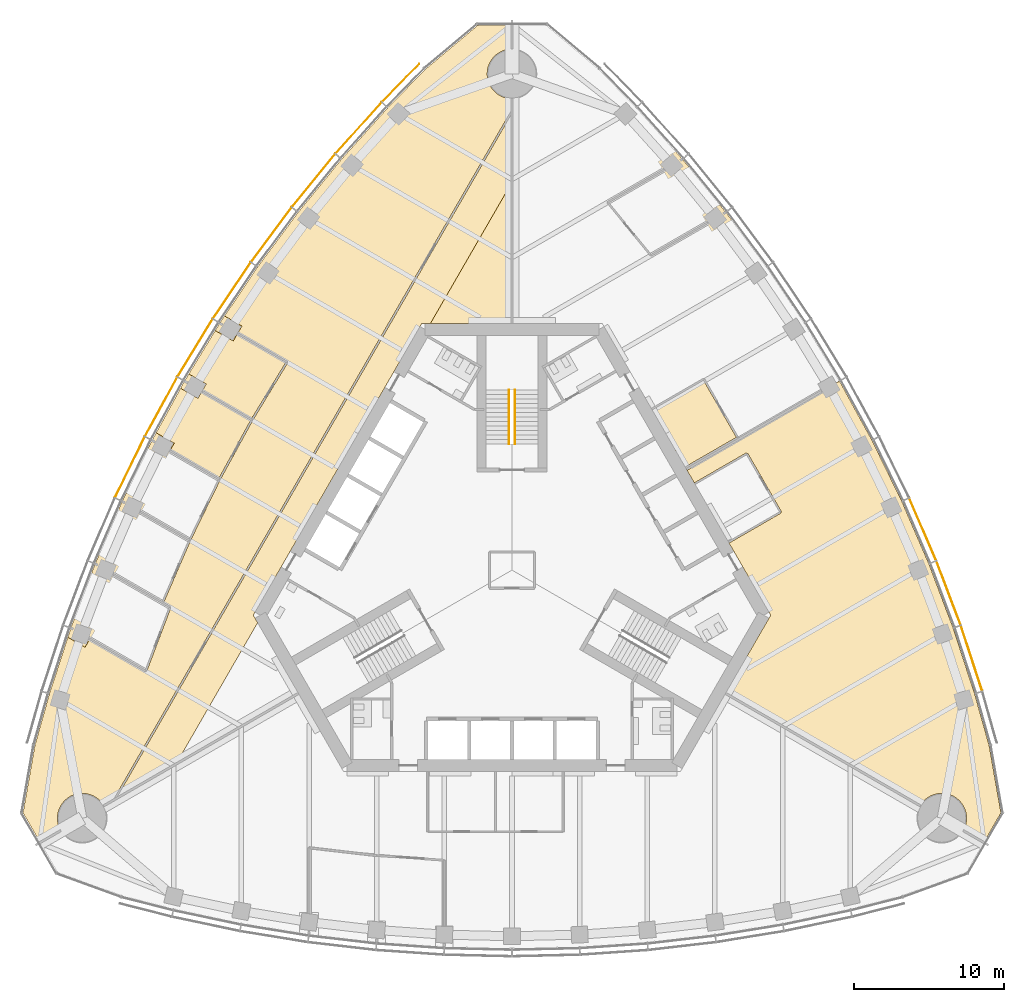
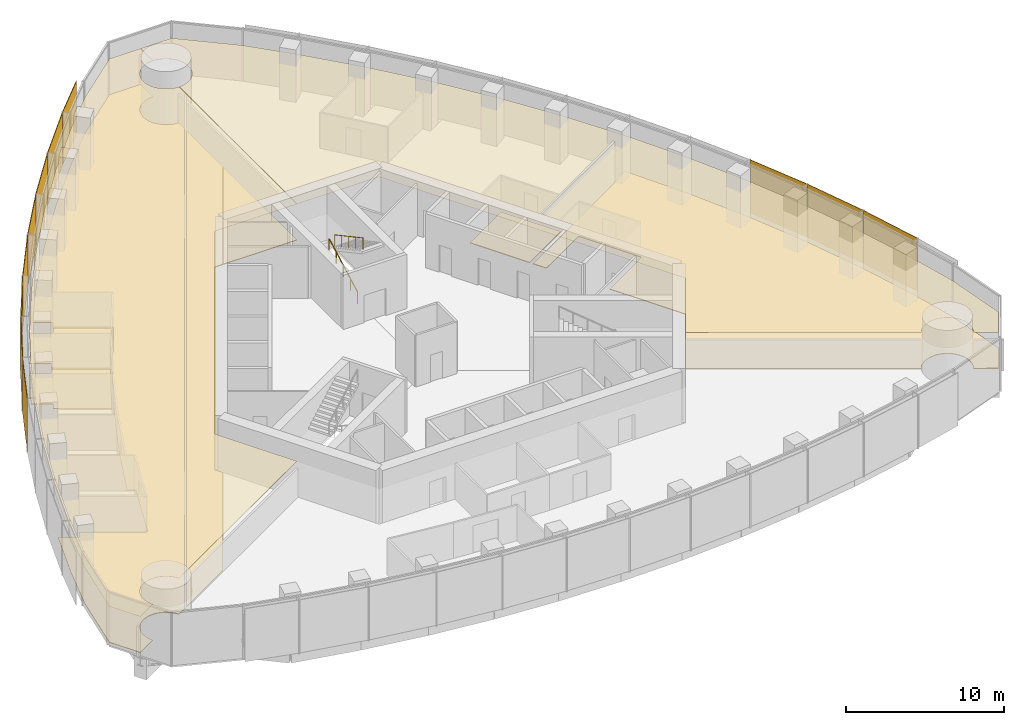
# One storey, part 16 of 19: 11 shading devices, 9 coverings, 2 railings.
"""IFC4 building model written with IfcOpenShell, lengths in metres."""

from ifc_helpers import new_model, si_unit, direction, frame, origin, origin_2d, place, context, subcontext, project, spatial, polyline, rectangle, circle, outline, extrude, material, layer, layer_set, type_object, element, save


model = new_model("IFC4")

# Units and contexts
model_context = context("Model", 3, precision=1e-05, world=origin(), true_north=direction((0.0, 1.0)))
body_context = subcontext(model_context, "Body", "Model", "MODEL_VIEW")
ifc_project = project(units=[si_unit("LENGTHUNIT", "METRE"), si_unit("AREAUNIT", "SQUARE_METRE"), si_unit("VOLUMEUNIT", "CUBIC_METRE"), si_unit("PLANEANGLEUNIT", "RADIAN"), si_unit("MASSUNIT", "GRAM", prefix="KILO")], contexts=[model_context])

# Site, building, storey
site_placement = place(None, origin())
site = spatial("IfcSite", under=ifc_project, at=site_placement, CompositionType="ELEMENT")
building_placement = place(site_placement, origin())
building = spatial("IfcBuilding", under=site, at=building_placement, Name="Trefoil Bronze Tower", CompositionType="ELEMENT")
storey_placement = place(building_placement, frame((0.0, 0.0, 206.5)))
storey = spatial("IfcBuildingStorey", under=building, at=storey_placement, Name="L47", CompositionType="ELEMENT", Elevation=206.5)

# Shading devices
ifc_material_1 = material(Name="Perforated bronze sheet", Category="bronze")
ifc_layer_1 = layer(ifc_material_1, 0.0400390625)
ifc_layer_set_1 = layer_set([ifc_layer_1], Name="Bronze solar screen panel")
shading_device_type = type_object("IfcShadingDeviceType", Name="Bronze solar screen panel", PredefinedType="SHUTTER", material=ifc_layer_set_1)
shading_device_1_placement = place(storey_placement, frame((30.5634765625, -5.86572265625, 0.050048828125), z_axis=(0.0, 0.0, 1.0), x_axis=(-0.310148591821, 0.950688093431, 0.0)))
element("IfcShadingDevice", 1, at=shading_device_1_placement, inside=storey, type_object=shading_device_type, Name="Solar screen CW-A L47 F2 bay 2", PredefinedType="SHUTTER", context=body_context, shape_type="SweptSolid", body=[
    extrude(rectangle(XDim=4.5693359375, YDim=0.0400390625, at=origin_2d()), origin(), (0.0, 0.0, 1.0), 4.10009765625),
])
shading_device_2_placement = place(storey_placement, frame((29.0341796875, -1.52392578125, 0.050048828125), z_axis=(0.0, 0.0, 1.0), x_axis=(-0.354233936517, 0.935156841508, 0.0)))
element("IfcShadingDevice", 2, at=shading_device_2_placement, inside=storey, type_object=shading_device_type, Name="Solar screen CW-A L47 F2 bay 3", PredefinedType="SHUTTER", context=body_context, shape_type="SweptSolid", body=[
    extrude(rectangle(XDim=4.529296875, YDim=0.0400390625, at=origin_2d()), origin(), (0.0, 0.0, 1.0), 4.10009765625),
])
shading_device_3_placement = place(storey_placement, frame((27.317626953125, 2.709716796875, 0.050048828125), z_axis=(0.0, 0.0, 1.0), x_axis=(-0.397220305764, 0.917723285467, 0.0)))
element("IfcShadingDevice", 3, at=shading_device_3_placement, inside=storey, type_object=shading_device_type, Name="Solar screen CW-A L47 F2 bay 4", PredefinedType="SHUTTER", context=body_context, shape_type="SweptSolid", body=[
    extrude(rectangle(XDim=4.5, YDim=0.0400390625, at=origin_2d()), origin(), (0.0, 0.0, 1.0), 4.10009765625),
])
shading_device_4_placement = place(storey_placement, frame((-7.40478515625, 32.40380859375, 0.050048828125), z_axis=(0.0, 0.0, 1.0), x_axis=(-0.698651812425, -0.715461840349, 0.0)))
element("IfcShadingDevice", 4, at=shading_device_4_placement, inside=storey, type_object=shading_device_type, Name="Solar screen CW-A L47 F3 bay 1", PredefinedType="SHUTTER", context=body_context, shape_type="SweptSolid", body=[
    extrude(rectangle(XDim=3.53369140625, YDim=0.0400390625, at=origin_2d()), origin(), (0.0, 0.0, 1.0), 4.10009765625),
])
shading_device_5_placement = place(storey_placement, frame((-10.20166015625, 29.401611328125, 0.050048828125), z_axis=(0.0, 0.0, 1.0), x_axis=(-0.668245744076, -0.743940606181, 0.0)))
element("IfcShadingDevice", 5, at=shading_device_5_placement, inside=storey, type_object=shading_device_type, Name="Solar screen CW-A L47 F3 bay 2", PredefinedType="SHUTTER", context=body_context, shape_type="SweptSolid", body=[
    extrude(rectangle(XDim=4.5693359375, YDim=0.0400390625, at=origin_2d()), origin(), (0.0, 0.0, 1.0), 4.10009765625),
])
shading_device_6_placement = place(storey_placement, frame((-13.197509765625, 25.90625, 0.050048828125), z_axis=(0.0, 0.0, 1.0), x_axis=(-0.63275261301, -0.774354008661, 0.0)))
element("IfcShadingDevice", 6, at=shading_device_6_placement, inside=storey, type_object=shading_device_type, Name="Solar screen CW-A L47 F3 bay 3", PredefinedType="SHUTTER", context=body_context, shape_type="SweptSolid", body=[
    extrude(rectangle(XDim=4.529296875, YDim=0.0400390625, at=origin_2d()), origin(), (0.0, 0.0, 1.0), 4.10009765625),
])
shading_device_7_placement = place(storey_placement, frame((-16.005615234375, 22.302734375, 0.050048828125), z_axis=(0.0, 0.0, 1.0), x_axis=(-0.596161525977, -0.802864518425, 0.0)))
element("IfcShadingDevice", 7, at=shading_device_7_placement, inside=storey, type_object=shading_device_type, Name="Solar screen CW-A L47 F3 bay 4", PredefinedType="SHUTTER", context=body_context, shape_type="SweptSolid", body=[
    extrude(rectangle(XDim=4.5, YDim=0.0400390625, at=origin_2d()), origin(), (0.0, 0.0, 1.0), 4.10009765625),
])
shading_device_8_placement = place(storey_placement, frame((-18.6298828125, 18.59326171875, 0.050048828125), z_axis=(0.0, 0.0, 1.0), x_axis=(-0.558493494706, -0.829508900718, 0.0)))
element("IfcShadingDevice", 8, at=shading_device_8_placement, inside=storey, type_object=shading_device_type, Name="Solar screen CW-A L47 F3 bay 5", PredefinedType="SHUTTER", context=body_context, shape_type="SweptSolid", body=[
    extrude(rectangle(XDim=4.480712890625, YDim=0.0400390625, at=origin_2d()), origin(), (0.0, 0.0, 1.0), 4.10009765625),
])
for number, where, z_axis, x_axis, name in (
    (9, (-21.07275390625, 14.77880859375, 0.050048828125), (0.0, 0.0, 1.0), (-0.519762112739, -0.854311035959, 0.0), "Solar screen CW-A L47 F3 bay 6"),
    (10, (-23.3349609375, 10.860107421875, 0.050048828125), (0.0, 0.0, 1.0), (-0.479974003504, -0.877282711536, 0.0), "Solar screen CW-A L47 F3 bay 7"),
):
    element("IfcShadingDevice", number, at=place(storey_placement, frame(where, z_axis=z_axis, x_axis=x_axis)), inside=storey, type_object=shading_device_type, Name=name, PredefinedType="SHUTTER", context=body_context, shape_type="SweptSolid", body=[
        extrude(rectangle(XDim=4.47119140625, YDim=0.0400390625, at=origin_2d()), origin(), (0.0, 0.0, 1.0), 4.10009765625),
    ])
shading_device_9_placement = place(storey_placement, frame((-25.4169921875, 6.83740234375, 0.050048828125), z_axis=(0.0, 0.0, 1.0), x_axis=(-0.439129033334, -0.898424004623, 0.0)))
element("IfcShadingDevice", 11, at=shading_device_9_placement, inside=storey, type_object=shading_device_type, Name="Solar screen CW-A L47 F3 bay 8", PredefinedType="SHUTTER", context=body_context, shape_type="SweptSolid", body=[
    extrude(rectangle(XDim=4.480712890625, YDim=0.0400390625, at=origin_2d()), origin(), (0.0, 0.0, 1.0), 4.10009765625),
])

# Railings
ifc_material_2 = material(Name="Steel handrail", Category="steel")
railing_type = type_object("IfcRailingType", Name="Handrail 900", PredefinedType="HANDRAIL", material=ifc_material_2)
railing_1_placement = place(storey_placement, frame((-0.199951171875, 8.389892578125, 0.16162109375)))
element("IfcRailing", 12, at=railing_1_placement, inside=storey, type_object=railing_type, Name="Handrail ST2 flight 1 L47", PredefinedType="HANDRAIL", context=body_context, shape_type="SweptSolid", body=[
    extrude(circle(Radius=0.02392578125, at=origin_2d()), frame((0.0, 0.0, 0.8759765625), z_axis=(0.0, 0.880474934443, 0.474092701714), x_axis=(-1.0, 0.0, 0.0)), (0.0, 0.0, 1.0), 4.0888671875),
    extrude(circle(Radius=0.02099609375, at=origin_2d()), origin(), (0.0, 0.0, 1.0), 0.851806640625),
    extrude(circle(Radius=0.02099609375, at=origin_2d()), frame((0.0, 0.89990234375, 0.484619140625)), (0.0, 0.0, 1.0), 0.851806640625),
    extrude(circle(Radius=0.02099609375, at=origin_2d()), frame((0.0, 1.800048828125, 0.96923828125)), (0.0, 0.0, 1.0), 0.851806640625),
    extrude(circle(Radius=0.02099609375, at=origin_2d()), frame((0.0, 2.7001953125, 1.453857421875)), (0.0, 0.0, 1.0), 0.851806640625),
    extrude(circle(Radius=0.02099609375, at=origin_2d()), frame((0.0, 3.60009765625, 1.9384765625)), (0.0, 0.0, 1.0), 0.851806640625),
])
railing_2_placement = place(storey_placement, frame((0.199951171875, 11.989990234375, 2.261474609375)))
element("IfcRailing", 13, at=railing_2_placement, inside=storey, type_object=railing_type, Name="Handrail ST2 flight 2 L47", PredefinedType="HANDRAIL", context=body_context, shape_type="SweptSolid", body=[
    extrude(circle(Radius=0.02392578125, at=origin_2d()), frame((0.0, 0.0, 0.8759765625), z_axis=(0.0, -0.880474934443, 0.474092701714), x_axis=(1.0, 0.0, 0.0)), (0.0, 0.0, 1.0), 4.0888671875),
    extrude(circle(Radius=0.02099609375, at=origin_2d()), origin(), (0.0, 0.0, 1.0), 0.851806640625),
    extrude(circle(Radius=0.02099609375, at=origin_2d()), frame((0.0, -0.89990234375, 0.484619140625)), (0.0, 0.0, 1.0), 0.851806640625),
    extrude(circle(Radius=0.02099609375, at=origin_2d()), frame((0.0, -1.800048828125, 0.96923828125)), (0.0, 0.0, 1.0), 0.851806640625),
    extrude(circle(Radius=0.02099609375, at=origin_2d()), frame((0.0, -2.7001953125, 1.453857421875)), (0.0, 0.0, 1.0), 0.851806640625),
    extrude(circle(Radius=0.02099609375, at=origin_2d()), frame((0.0, -3.60009765625, 1.9384765625)), (0.0, 0.0, 1.0), 0.851806640625),
])

# Coverings
ifc_material_3 = material(Name="Acoustic ceiling panels", Category="mineral fibre")
ifc_layer_2 = layer(ifc_material_3, 0.02001953125)
ifc_layer_set_2 = layer_set([ifc_layer_2], Name="Office ceiling 20")
covering_type_1 = type_object("IfcCoveringType", Name="Office ceiling 20", PredefinedType="CEILING", material=ifc_layer_set_2)
covering_1_placement = place(storey_placement, frame((0.0, 0.0, 2.89990234375)))
element("IfcCovering", 14, at=covering_1_placement, inside=storey, type_object=covering_type_1, Name="Ceiling L47 Open-plan office F2", PredefinedType="CEILING", context=body_context, shape_type="SweptSolid", body=[
    extrude(outline(polyline([(8.26318359375, 30.751708984375), (11.3369140625, 27.329833984375), (14.2216796875, 23.79931640625), (16.92236328125, 20.162353515625), (19.44140625, 16.420654296875), (21.781005859375, 12.5751953125), (23.94140625, 8.62646484375), (25.92236328125, 4.573974609375), (27.7216796875, 0.416748046875), (29.3369140625, -3.846923828125), (30.76318359375, -8.219482421875), (31.7265625, -11.650634765625), (32.518310546875, -16.1416015625), (31.385009765625, -18.1044921875), (30.013916015625, -17.3134765625), (30.033935546875, -17.27783203125), (30.0703125, -17.20556640625), (30.103271484375, -17.13134765625), (30.13232421875, -17.055908203125), (30.15771484375, -16.97900390625), (30.179443359375, -16.90087890625), (30.197021484375, -16.822021484375), (30.2109375, -16.7421875), (30.220947265625, -16.66162109375), (30.226806640625, -16.5810546875), (30.228759765625, -16.5), (30.226806640625, -16.4189453125), (30.220947265625, -16.33837890625), (30.2109375, -16.2578125), (30.197021484375, -16.177978515625), (30.179443359375, -16.09912109375), (30.15771484375, -16.02099609375), (30.13232421875, -15.944091796875), (30.103271484375, -15.86865234375), (30.0703125, -15.79443359375), (30.033935546875, -15.72216796875), (29.994140625, -15.651611328125), (29.95068359375, -15.583251953125), (29.904052734375, -15.51708984375), (29.854248046875, -15.453369140625), (29.801513671875, -15.391845703125), (29.74560546875, -15.333251953125), (29.68701171875, -15.27734375), (29.62548828125, -15.224609375), (29.561767578125, -15.1748046875), (29.49560546875, -15.128173828125), (29.427001953125, -15.084716796875), (29.356689453125, -15.044921875), (29.2841796875, -15.00830078125), (29.210205078125, -14.9755859375), (29.134765625, -14.946533203125), (29.057861328125, -14.9208984375), (28.979736328125, -14.8994140625), (28.900634765625, -14.881591796875), (28.82080078125, -14.867919921875), (28.740478515625, -14.85791015625), (28.659912109375, -14.85205078125), (28.578857421875, -14.85009765625), (28.497802734375, -14.85205078125), (28.4169921875, -14.85791015625), (28.336669921875, -14.867919921875), (28.2568359375, -14.881591796875), (28.177978515625, -14.8994140625), (28.099853515625, -14.9208984375), (28.02294921875, -14.946533203125), (27.947509765625, -14.9755859375), (27.873291015625, -15.00830078125), (27.801025390625, -15.044921875), (27.730712890625, -15.084716796875), (27.662109375, -15.128173828125), (27.595947265625, -15.1748046875), (27.531982421875, -15.224609375), (27.470703125, -15.27734375), (27.412109375, -15.333251953125), (27.356201171875, -15.391845703125), (27.303466796875, -15.453369140625), (27.25341796875, -15.51708984375), (27.206787109375, -15.583251953125), (27.156005859375, -15.6650390625), (14.205810546875, -8.194580078125), (17.205078125, -3.0), (6.00439453125, 16.39990234375), (0.006103515625, 16.39990234375), (0.01171875, 31.350341796875), (0.0810546875, 31.35205078125), (0.16162109375, 31.35791015625), (0.2421875, 31.367919921875), (0.322021484375, 31.381591796875), (0.40087890625, 31.3994140625), (0.47900390625, 31.4208984375), (0.555908203125, 31.446533203125), (0.63134765625, 31.4755859375), (0.70556640625, 31.50830078125), (0.77783203125, 31.544921875), (0.848388671875, 31.584716796875), (0.916748046875, 31.628173828125), (0.98291015625, 31.6748046875), (1.046630859375, 31.724609375), (1.108154296875, 31.77734375), (1.166748046875, 31.833251953125), (1.22265625, 31.891845703125), (1.275390625, 31.953369140625), (1.3251953125, 32.01708984375), (1.371826171875, 32.083251953125), (1.415283203125, 32.151611328125), (1.455078125, 32.22216796875), (1.49169921875, 32.29443359375), (1.5244140625, 32.36865234375), (1.553466796875, 32.444091796875), (1.5791015625, 32.52099609375), (1.6005859375, 32.59912109375), (1.618408203125, 32.677978515625), (1.632080078125, 32.7578125), (1.64208984375, 32.83837890625), (1.64794921875, 32.9189453125), (1.64990234375, 33.0), (1.64794921875, 33.0810546875), (1.64208984375, 33.16162109375), (1.632080078125, 33.2421875), (1.618408203125, 33.322021484375), (1.6005859375, 33.40087890625), (1.5791015625, 33.47900390625), (1.553466796875, 33.555908203125), (1.5244140625, 33.63134765625), (1.49169921875, 33.70556640625), (1.455078125, 33.77783203125), (1.415283203125, 33.848388671875), (1.371826171875, 33.916748046875), (1.3251953125, 33.98291015625), (1.275390625, 34.046630859375), (1.22265625, 34.108154296875), (1.166748046875, 34.166748046875), (1.108154296875, 34.22265625), (1.046630859375, 34.275390625), (0.98291015625, 34.3251953125), (0.916748046875, 34.371826171875), (0.848388671875, 34.415283203125), (0.77783203125, 34.455078125), (0.70556640625, 34.49169921875), (0.63134765625, 34.5244140625), (0.555908203125, 34.553466796875), (0.47900390625, 34.5791015625), (0.40087890625, 34.6005859375), (0.322021484375, 34.618408203125), (0.2421875, 34.632080078125), (0.16162109375, 34.64208984375), (0.0810546875, 34.64794921875), (0.012939453125, 34.649658203125), (0.013671875, 36.232666015625), (2.280029296875, 36.232666015625), (5.7734375, 33.30126953125), (8.26318359375, 30.751708984375)])), origin(), (0.0, 0.0, 1.0), 0.02001953125),
])
covering_2_placement = place(storey_placement, frame((0.0, 0.0, 2.89990234375)))
element("IfcCovering", 15, at=covering_2_placement, inside=storey, type_object=covering_type_1, Name="Ceiling L47 Open-plan office F3", PredefinedType="CEILING", context=body_context, shape_type="SweptSolid", body=[
    extrude(outline(polyline([(-30.76318359375, -8.219482421875), (-29.3369140625, -3.846923828125), (-27.7216796875, 0.416748046875), (-25.92236328125, 4.573974609375), (-23.94140625, 8.62646484375), (-21.781005859375, 12.5751953125), (-19.44140625, 16.420654296875), (-16.92236328125, 20.162353515625), (-14.2216796875, 23.79931640625), (-11.3369140625, 27.329833984375), (-8.26318359375, 30.751708984375), (-5.7734375, 33.30126953125), (-2.280029296875, 36.232666015625), (-0.013671875, 36.232666015625), (-0.012939453125, 34.649658203125), (-0.0810546875, 34.64794921875), (-0.16162109375, 34.64208984375), (-0.2421875, 34.632080078125), (-0.322021484375, 34.618408203125), (-0.40087890625, 34.6005859375), (-0.47900390625, 34.5791015625), (-0.555908203125, 34.553466796875), (-0.63134765625, 34.5244140625), (-0.70556640625, 34.49169921875), (-0.77783203125, 34.455078125), (-0.848388671875, 34.415283203125), (-0.916748046875, 34.371826171875), (-0.98291015625, 34.3251953125), (-1.046630859375, 34.275390625), (-1.108154296875, 34.22265625), (-1.166748046875, 34.166748046875), (-1.22265625, 34.108154296875), (-1.275390625, 34.046630859375), (-1.3251953125, 33.98291015625), (-1.371826171875, 33.916748046875), (-1.415283203125, 33.848388671875), (-1.455078125, 33.77783203125), (-1.49169921875, 33.70556640625), (-1.5244140625, 33.63134765625), (-1.553466796875, 33.555908203125), (-1.5791015625, 33.47900390625), (-1.6005859375, 33.40087890625), (-1.618408203125, 33.322021484375), (-1.632080078125, 33.2421875), (-1.64208984375, 33.16162109375), (-1.64794921875, 33.0810546875), (-1.64990234375, 33.0), (-1.64794921875, 32.9189453125), (-1.64208984375, 32.83837890625), (-1.632080078125, 32.7578125), (-1.618408203125, 32.677978515625), (-1.6005859375, 32.59912109375), (-1.5791015625, 32.52099609375), (-1.553466796875, 32.444091796875), (-1.5244140625, 32.36865234375), (-1.49169921875, 32.29443359375), (-1.455078125, 32.22216796875), (-1.415283203125, 32.151611328125), (-1.371826171875, 32.083251953125), (-1.3251953125, 32.01708984375), (-1.275390625, 31.953369140625), (-1.22265625, 31.891845703125), (-1.166748046875, 31.833251953125), (-1.108154296875, 31.77734375), (-1.046630859375, 31.724609375), (-0.98291015625, 31.6748046875), (-0.916748046875, 31.628173828125), (-0.848388671875, 31.584716796875), (-0.77783203125, 31.544921875), (-0.70556640625, 31.50830078125), (-0.63134765625, 31.4755859375), (-0.555908203125, 31.446533203125), (-0.47900390625, 31.4208984375), (-0.40087890625, 31.3994140625), (-0.322021484375, 31.381591796875), (-0.2421875, 31.367919921875), (-0.16162109375, 31.35791015625), (-0.0810546875, 31.35205078125), (-0.01171875, 31.350341796875), (-0.006103515625, 16.39990234375), (-6.00439453125, 16.39990234375), (-17.205078125, -3.0), (-14.205810546875, -8.194580078125), (-27.156005859375, -15.6650390625), (-27.206787109375, -15.583251953125), (-27.25341796875, -15.51708984375), (-27.303466796875, -15.453369140625), (-27.356201171875, -15.391845703125), (-27.412109375, -15.333251953125), (-27.470703125, -15.27734375), (-27.531982421875, -15.224609375), (-27.595947265625, -15.1748046875), (-27.662109375, -15.128173828125), (-27.730712890625, -15.084716796875), (-27.801025390625, -15.044921875), (-27.873291015625, -15.00830078125), (-27.947509765625, -14.9755859375), (-28.02294921875, -14.946533203125), (-28.099853515625, -14.9208984375), (-28.177978515625, -14.8994140625), (-28.2568359375, -14.881591796875), (-28.336669921875, -14.867919921875), (-28.4169921875, -14.85791015625), (-28.497802734375, -14.85205078125), (-28.578857421875, -14.85009765625), (-28.659912109375, -14.85205078125), (-28.740478515625, -14.85791015625), (-28.82080078125, -14.867919921875), (-28.900634765625, -14.881591796875), (-28.979736328125, -14.8994140625), (-29.057861328125, -14.9208984375), (-29.134765625, -14.946533203125), (-29.210205078125, -14.9755859375), (-29.2841796875, -15.00830078125), (-29.356689453125, -15.044921875), (-29.427001953125, -15.084716796875), (-29.49560546875, -15.128173828125), (-29.561767578125, -15.1748046875), (-29.62548828125, -15.224609375), (-29.68701171875, -15.27734375), (-29.74560546875, -15.333251953125), (-29.801513671875, -15.391845703125), (-29.854248046875, -15.453369140625), (-29.904052734375, -15.51708984375), (-29.95068359375, -15.583251953125), (-29.994140625, -15.651611328125), (-30.033935546875, -15.72216796875), (-30.0703125, -15.79443359375), (-30.103271484375, -15.86865234375), (-30.13232421875, -15.944091796875), (-30.15771484375, -16.02099609375), (-30.179443359375, -16.09912109375), (-30.197021484375, -16.177978515625), (-30.2109375, -16.2578125), (-30.220947265625, -16.33837890625), (-30.226806640625, -16.4189453125), (-30.228759765625, -16.5), (-30.226806640625, -16.5810546875), (-30.220947265625, -16.66162109375), (-30.2109375, -16.7421875), (-30.197021484375, -16.822021484375), (-30.179443359375, -16.90087890625), (-30.15771484375, -16.97900390625), (-30.13232421875, -17.055908203125), (-30.103271484375, -17.13134765625), (-30.0703125, -17.20556640625), (-30.033935546875, -17.27783203125), (-30.013916015625, -17.3134765625), (-31.385009765625, -18.1044921875), (-32.518310546875, -16.1416015625), (-31.7265625, -11.650634765625), (-30.76318359375, -8.219482421875)])), origin(), (0.0, 0.0, 1.0), 0.02001953125),
])
ifc_material_4 = material(Name="Raised access floor panels", Category="steel")
ifc_layer_3 = layer(ifc_material_4, 0.050048828125)
ifc_layer_set_3 = layer_set([ifc_layer_3], Name="Raised access floor 150")
covering_type_2 = type_object("IfcCoveringType", Name="Raised access floor 150", PredefinedType="FLOORING", material=ifc_layer_set_3)
covering_3_placement = place(storey_placement, frame((0.0, 0.0, 0.10009765625)))
element("IfcCovering", 16, at=covering_3_placement, inside=storey, type_object=covering_type_2, Name="Raised floor L47 Project room F2", PredefinedType="FLOORING", context=body_context, shape_type="SweptSolid", body=[
    extrude(outline(polyline([(9.322265625, 10.6533203125), (12.734375, 12.623291015625), (14.92431640625, 8.830078125), (11.51220703125, 6.860107421875), (9.322265625, 10.6533203125)])), origin(), (0.0, 0.0, 1.0), 0.0498046875),
])
covering_4_placement = place(storey_placement, frame((0.0, 0.0, 0.10009765625)))
element("IfcCovering", 17, at=covering_4_placement, inside=storey, type_object=covering_type_2, Name="Raised floor L47 Open-plan office F2", PredefinedType="FLOORING", context=body_context, shape_type="SweptSolid", body=[
    extrude(outline(polyline([(14.205810546875, -8.194580078125), (17.205078125, -3.0), (14.434814453125, 1.79833984375), (17.898681640625, 3.79833984375), (17.868896484375, 3.850341796875), (17.9208984375, 3.88037109375), (15.6708984375, 7.77734375), (15.618896484375, 7.747314453125), (15.5888671875, 7.79931640625), (12.124755859375, 5.79931640625), (11.605224609375, 6.69921875), (11.614013671875, 6.7041015625), (11.65087890625, 6.639892578125), (20.62353515625, 11.8203125), (20.58642578125, 11.884521484375), (21.781494140625, 12.574462890625), (23.94140625, 8.62646484375), (25.92236328125, 4.573974609375), (27.7216796875, 0.416748046875), (29.3369140625, -3.846923828125), (30.76318359375, -8.219482421875), (31.7265625, -11.650634765625), (32.518310546875, -16.1416015625), (31.385009765625, -18.1044921875), (30.013916015625, -17.3134765625), (30.033935546875, -17.27783203125), (30.0703125, -17.20556640625), (30.103271484375, -17.13134765625), (30.13232421875, -17.055908203125), (30.15771484375, -16.97900390625), (30.179443359375, -16.90087890625), (30.197021484375, -16.822021484375), (30.2109375, -16.7421875), (30.220947265625, -16.66162109375), (30.226806640625, -16.5810546875), (30.228759765625, -16.5), (30.226806640625, -16.4189453125), (30.220947265625, -16.33837890625), (30.2109375, -16.2578125), (30.197021484375, -16.177978515625), (30.179443359375, -16.09912109375), (30.15771484375, -16.02099609375), (30.13232421875, -15.944091796875), (30.103271484375, -15.86865234375), (30.0703125, -15.79443359375), (30.033935546875, -15.72216796875), (29.994140625, -15.651611328125), (29.95068359375, -15.583251953125), (29.904052734375, -15.51708984375), (29.854248046875, -15.453369140625), (29.801513671875, -15.391845703125), (29.74560546875, -15.333251953125), (29.68701171875, -15.27734375), (29.62548828125, -15.224609375), (29.561767578125, -15.1748046875), (29.49560546875, -15.128173828125), (29.427001953125, -15.084716796875), (29.356689453125, -15.044921875), (29.2841796875, -15.00830078125), (29.210205078125, -14.9755859375), (29.134765625, -14.946533203125), (29.057861328125, -14.9208984375), (28.979736328125, -14.8994140625), (28.900634765625, -14.881591796875), (28.82080078125, -14.867919921875), (28.740478515625, -14.85791015625), (28.659912109375, -14.85205078125), (28.578857421875, -14.85009765625), (28.497802734375, -14.85205078125), (28.4169921875, -14.85791015625), (28.336669921875, -14.867919921875), (28.2568359375, -14.881591796875), (28.177978515625, -14.8994140625), (28.099853515625, -14.9208984375), (28.02294921875, -14.946533203125), (27.947509765625, -14.9755859375), (27.873291015625, -15.00830078125), (27.801025390625, -15.044921875), (27.730712890625, -15.084716796875), (27.662109375, -15.128173828125), (27.595947265625, -15.1748046875), (27.531982421875, -15.224609375), (27.470703125, -15.27734375), (27.412109375, -15.333251953125), (27.356201171875, -15.391845703125), (27.303466796875, -15.453369140625), (27.25341796875, -15.51708984375), (27.206787109375, -15.583251953125), (27.156005859375, -15.6650390625), (14.205810546875, -8.194580078125)])), origin(), (0.0, 0.0, 1.0), 0.0498046875),
])
covering_5_placement = place(storey_placement, frame((0.0, 0.0, 0.10009765625)))
element("IfcCovering", 18, at=covering_5_placement, inside=storey, type_object=covering_type_2, Name="Raised floor L47 Project room F3", PredefinedType="FLOORING", context=body_context, shape_type="SweptSolid", body=[
    extrude(outline(polyline([(-18.2451171875, 15.72998046875), (-18.275146484375, 15.677978515625), (-15.04296875, 13.81201171875), (-17.3203125, 10.069091796875), (-20.555908203125, 11.937255859375), (-20.5859375, 11.88525390625), (-20.611083984375, 11.89990234375), (-20.335693359375, 12.376953125), (-21.49462890625, 13.046142578125), (-19.740966796875, 15.9287109375), (-18.537353515625, 15.23388671875), (-18.24951171875, 15.732421875), (-18.2451171875, 15.72998046875)])), origin(), (0.0, 0.0, 1.0), 0.0498046875),
])
covering_6_placement = place(storey_placement, frame((0.0, 0.0, 0.10009765625)))
element("IfcCovering", 19, at=covering_6_placement, inside=storey, type_object=covering_type_2, Name="Raised floor L47 Project room F3", PredefinedType="FLOORING", context=body_context, shape_type="SweptSolid", body=[
    extrude(outline(polyline([(-20.5859375, 11.88525390625), (-20.615966796875, 11.83349609375), (-17.380126953125, 9.965087890625), (-19.48291015625, 6.12158203125), (-22.715087890625, 7.98779296875), (-22.7451171875, 7.935791015625), (-22.74951171875, 7.938232421875), (-22.46142578125, 8.436767578125), (-23.6650390625, 9.131591796875), (-22.045654296875, 12.091796875), (-20.88671875, 11.422607421875), (-20.611083984375, 11.89990234375), (-20.5859375, 11.88525390625)])), origin(), (0.0, 0.0, 1.0), 0.0498046875),
])
covering_7_placement = place(storey_placement, frame((0.0, 0.0, 0.10009765625)))
element("IfcCovering", 20, at=covering_7_placement, inside=storey, type_object=covering_type_2, Name="Raised floor L47 Corridor F3", PredefinedType="FLOORING", context=body_context, shape_type="SweptSolid", body=[
    extrude(outline(polyline([(-26.31591796875, -15.180419921875), (-0.011474609375, 30.38037109375), (-0.009765625, 25.783203125), (-5.427001953125, 16.39990234375), (-6.00439453125, 16.39990234375), (-17.205078125, -3.0), (-16.91650390625, -3.5), (-22.333740234375, -12.88330078125), (-26.31591796875, -15.180419921875)])), origin(), (0.0, 0.0, 1.0), 0.0498046875),
])
covering_8_placement = place(storey_placement, frame((0.0, 0.0, 0.10009765625)))
element("IfcCovering", 21, at=covering_8_placement, inside=storey, type_object=covering_type_2, Name="Raised floor L47 Open-plan office F3", PredefinedType="FLOORING", context=body_context, shape_type="SweptSolid", body=[
    extrude(outline(polyline([(-31.7265625, -11.650634765625), (-30.76318359375, -8.219482421875), (-29.54052734375, -4.4716796875), (-28.396728515625, -5.132080078125), (-28.105224609375, -4.627197265625), (-24.38720703125, -6.77392578125), (-24.357177734375, -6.721923828125), (-24.301025390625, -6.743408203125), (-22.68603515625, -2.4794921875), (-22.7421875, -2.458251953125), (-22.712158203125, -2.40625), (-23.163818359375, -2.1455078125), (-21.385986328125, 1.96142578125), (-19.406494140625, 6.011474609375), (-17.247314453125, 9.957763671875), (-14.90869140625, 13.802001953125), (-14.9599609375, 13.833251953125), (-14.929931640625, 13.88525390625), (-18.215087890625, 15.781982421875), (-18.2451171875, 15.72998046875), (-18.24951171875, 15.732421875), (-17.96142578125, 16.23095703125), (-19.119140625, 16.8994140625), (-16.92236328125, 20.162353515625), (-14.2216796875, 23.79931640625), (-11.3369140625, 27.329833984375), (-8.26318359375, 30.751708984375), (-5.7734375, 33.30126953125), (-2.280029296875, 36.232666015625), (-0.013671875, 36.232666015625), (-0.012939453125, 34.649658203125), (-0.0810546875, 34.64794921875), (-0.16162109375, 34.64208984375), (-0.2421875, 34.632080078125), (-0.322021484375, 34.618408203125), (-0.40087890625, 34.6005859375), (-0.47900390625, 34.5791015625), (-0.555908203125, 34.553466796875), (-0.63134765625, 34.5244140625), (-0.70556640625, 34.49169921875), (-0.77783203125, 34.455078125), (-0.848388671875, 34.415283203125), (-0.916748046875, 34.371826171875), (-0.98291015625, 34.3251953125), (-1.046630859375, 34.275390625), (-1.108154296875, 34.22265625), (-1.166748046875, 34.166748046875), (-1.22265625, 34.108154296875), (-1.275390625, 34.046630859375), (-1.3251953125, 33.98291015625), (-1.371826171875, 33.916748046875), (-1.415283203125, 33.848388671875), (-1.455078125, 33.77783203125), (-1.49169921875, 33.70556640625), (-1.5244140625, 33.63134765625), (-1.553466796875, 33.555908203125), (-1.5791015625, 33.47900390625), (-1.6005859375, 33.40087890625), (-1.618408203125, 33.322021484375), (-1.632080078125, 33.2421875), (-1.64208984375, 33.16162109375), (-1.64794921875, 33.0810546875), (-1.64990234375, 33.0), (-1.64794921875, 32.9189453125), (-1.64208984375, 32.83837890625), (-1.632080078125, 32.7578125), (-1.618408203125, 32.677978515625), (-1.6005859375, 32.59912109375), (-1.5791015625, 32.52099609375), (-1.553466796875, 32.444091796875), (-1.5244140625, 32.36865234375), (-1.49169921875, 32.29443359375), (-1.455078125, 32.22216796875), (-1.415283203125, 32.151611328125), (-1.371826171875, 32.083251953125), (-1.3251953125, 32.01708984375), (-1.275390625, 31.953369140625), (-1.22265625, 31.891845703125), (-1.166748046875, 31.833251953125), (-1.108154296875, 31.77734375), (-1.046630859375, 31.724609375), (-0.98291015625, 31.6748046875), (-0.916748046875, 31.628173828125), (-0.848388671875, 31.584716796875), (-0.77783203125, 31.544921875), (-0.70556640625, 31.50830078125), (-0.63134765625, 31.4755859375), (-0.555908203125, 31.446533203125), (-0.47900390625, 31.4208984375), (-0.40087890625, 31.3994140625), (-0.322021484375, 31.381591796875), (-0.2421875, 31.367919921875), (-0.16162109375, 31.35791015625), (-0.0810546875, 31.35205078125), (-0.01171875, 31.350341796875), (-0.011474609375, 30.488525390625), (-0.068359375, 30.521484375), (-26.466552734375, -15.201416015625), (-26.40966796875, -15.234375), (-27.156005859375, -15.6650390625), (-27.206787109375, -15.583251953125), (-27.25341796875, -15.51708984375), (-27.303466796875, -15.453369140625), (-27.356201171875, -15.391845703125), (-27.412109375, -15.333251953125), (-27.470703125, -15.27734375), (-27.531982421875, -15.224609375), (-27.595947265625, -15.1748046875), (-27.662109375, -15.128173828125), (-27.730712890625, -15.084716796875), (-27.801025390625, -15.044921875), (-27.873291015625, -15.00830078125), (-27.947509765625, -14.9755859375), (-28.02294921875, -14.946533203125), (-28.099853515625, -14.9208984375), (-28.177978515625, -14.8994140625), (-28.2568359375, -14.881591796875), (-28.336669921875, -14.867919921875), (-28.4169921875, -14.85791015625), (-28.497802734375, -14.85205078125), (-28.578857421875, -14.85009765625), (-28.659912109375, -14.85205078125), (-28.740478515625, -14.85791015625), (-28.82080078125, -14.867919921875), (-28.900634765625, -14.881591796875), (-28.979736328125, -14.8994140625), (-29.057861328125, -14.9208984375), (-29.134765625, -14.946533203125), (-29.210205078125, -14.9755859375), (-29.2841796875, -15.00830078125), (-29.356689453125, -15.044921875), (-29.427001953125, -15.084716796875), (-29.49560546875, -15.128173828125), (-29.561767578125, -15.1748046875), (-29.62548828125, -15.224609375), (-29.68701171875, -15.27734375), (-29.74560546875, -15.333251953125), (-29.801513671875, -15.391845703125), (-29.854248046875, -15.453369140625), (-29.904052734375, -15.51708984375), (-29.95068359375, -15.583251953125), (-29.994140625, -15.651611328125), (-30.033935546875, -15.72216796875), (-30.0703125, -15.79443359375), (-30.103271484375, -15.86865234375), (-30.13232421875, -15.944091796875), (-30.15771484375, -16.02099609375), (-30.179443359375, -16.09912109375), (-30.197021484375, -16.177978515625), (-30.2109375, -16.2578125), (-30.220947265625, -16.33837890625), (-30.226806640625, -16.4189453125), (-30.228759765625, -16.5), (-30.226806640625, -16.5810546875), (-30.220947265625, -16.66162109375), (-30.2109375, -16.7421875), (-30.197021484375, -16.822021484375), (-30.179443359375, -16.90087890625), (-30.15771484375, -16.97900390625), (-30.13232421875, -17.055908203125), (-30.103271484375, -17.13134765625), (-30.0703125, -17.20556640625), (-30.033935546875, -17.27783203125), (-30.013916015625, -17.3134765625), (-31.385009765625, -18.1044921875), (-32.518310546875, -16.1416015625), (-31.7265625, -11.650634765625)])), origin(), (0.0, 0.0, 1.0), 0.0498046875),
])
covering_9_placement = place(storey_placement, frame((0.0, 0.0, 0.10009765625)))
element("IfcCovering", 22, at=covering_9_placement, inside=storey, type_object=covering_type_2, Name="Raised floor L47 Open-plan office F3", PredefinedType="FLOORING", context=body_context, shape_type="SweptSolid", body=[
    extrude(outline(polyline([(-0.009765625, 25.783203125), (-0.006103515625, 16.39990234375), (-5.427001953125, 16.39990234375), (-0.009765625, 25.783203125)])), origin(), (0.0, 0.0, 1.0), 0.0498046875),
])

save(model, "model.ifc")
